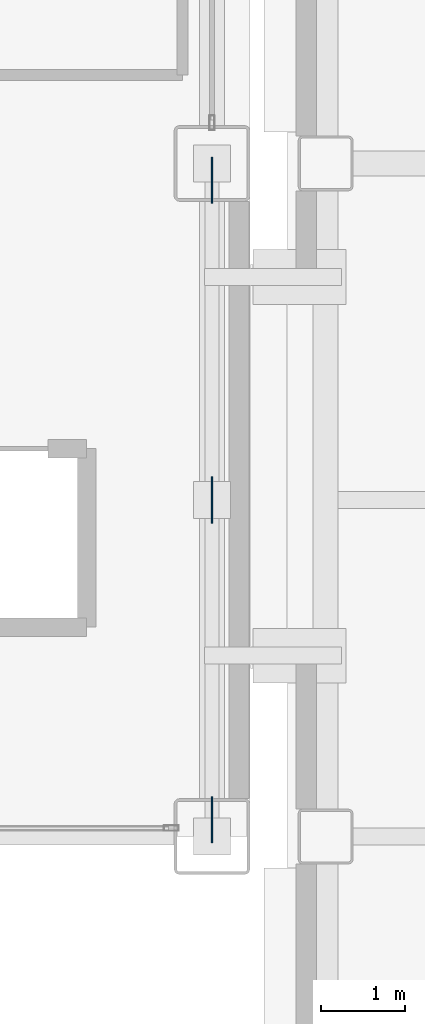
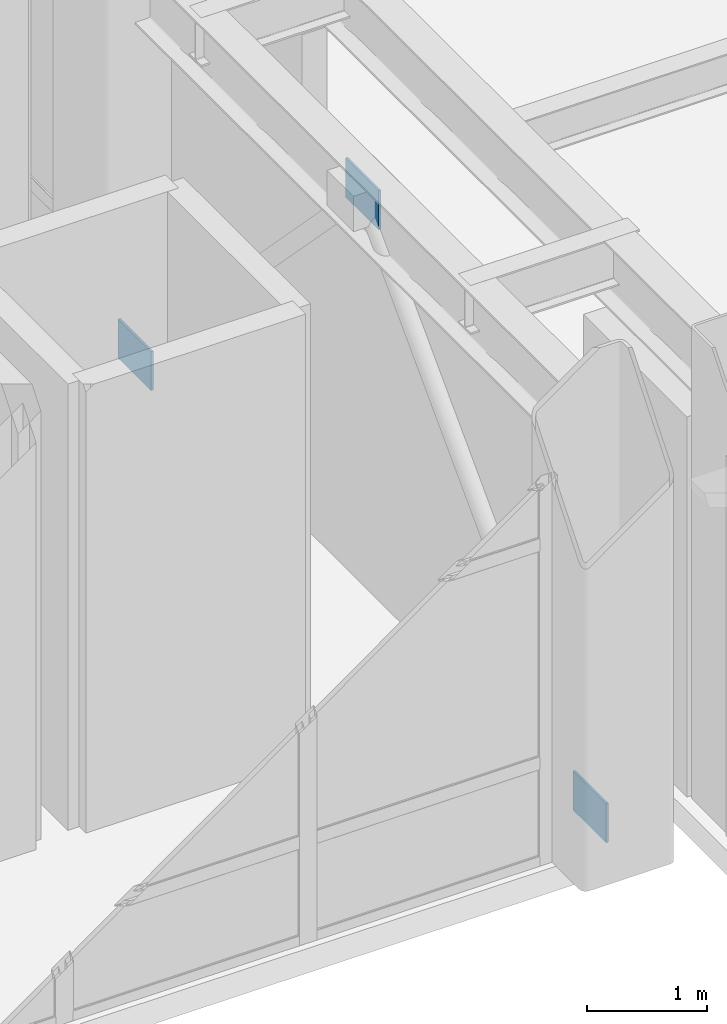
# One storey, part 140 of 172: 3 plates.
"""IFC4 building model written with IfcOpenShell, lengths in metres."""

from ifc_helpers import new_model, si_unit, direction, frame, origin, origin_2d, place, context, subcontext, project, spatial, rectangle, extrude, material, layer, layer_set, type_object, element, save


model = new_model("IFC4")

# Units and contexts
model_context = context("Model", 3, precision=1e-05, world=origin(), true_north=direction((0.0, 1.0)))
body_context = subcontext(model_context, "Body", "Model", "MODEL_VIEW")
ifc_project = project(units=[si_unit("LENGTHUNIT", "METRE"), si_unit("AREAUNIT", "SQUARE_METRE"), si_unit("VOLUMEUNIT", "CUBIC_METRE"), si_unit("PLANEANGLEUNIT", "RADIAN"), si_unit("MASSUNIT", "GRAM", prefix="KILO")], contexts=[model_context])

# Site, building, storey
site_placement = place(None, origin())
site = spatial("IfcSite", under=ifc_project, at=site_placement, CompositionType="ELEMENT")
building_placement = place(site_placement, origin())
building = spatial("IfcBuilding", under=site, at=building_placement, Name="Kazehara Bluff Congress Hotel", CompositionType="ELEMENT")
storey_placement = place(building_placement, frame((0.0, 0.0, 5.39990234375)))
storey = spatial("IfcBuildingStorey", under=building, at=storey_placement, Name="L01", CompositionType="ELEMENT", Elevation=5.39990234375)

# Plates
ifc_material = material(Name="Steel SN490B", Category="steel")
ifc_layer = layer(ifc_material, 0.02197265625)
ifc_layer_set = layer_set([ifc_layer], Name="Steel SN490B")
plate_type = type_object("IfcPlateType", Name="TP-GS-PL2", PredefinedType="USERDEFINED", material=ifc_layer_set)
for number, where, z_axis, x_axis, name in (
    (1, (58.35009765625, 48.64990234375, 0.130126953125), (0.0, 0.0, 1.0), (1.0, 0.0, 0.0), "Chevron foot gusset plate GS-PL2 10"),
    (2, (58.35009765625, 56.25, 0.130126953125), (0.0, 0.0, 1.0), (1.0, 0.0, 0.0), "Chevron foot gusset plate GS-PL2 11"),
    (3, (58.35009765625, 52.449951171875, 4.0751953125), (0.0, 0.0, 1.0), (1.0, 0.0, 0.0), "Chevron gusset plate GS-PL2 12"),
):
    element("IfcPlate", number, at=place(storey_placement, frame(where, z_axis=z_axis, x_axis=x_axis)), inside=storey, type_object=plate_type, Name=name, ObjectType="GUSSET_PLATE", PredefinedType="USERDEFINED", context=body_context, shape_type="SweptSolid", body=[
        extrude(rectangle(XDim=0.02197265625, YDim=0.550048828125, at=origin_2d()), origin(), (0.0, 0.0, 1.0), 0.39990234375),
    ])

save(model, "model.ifc")
